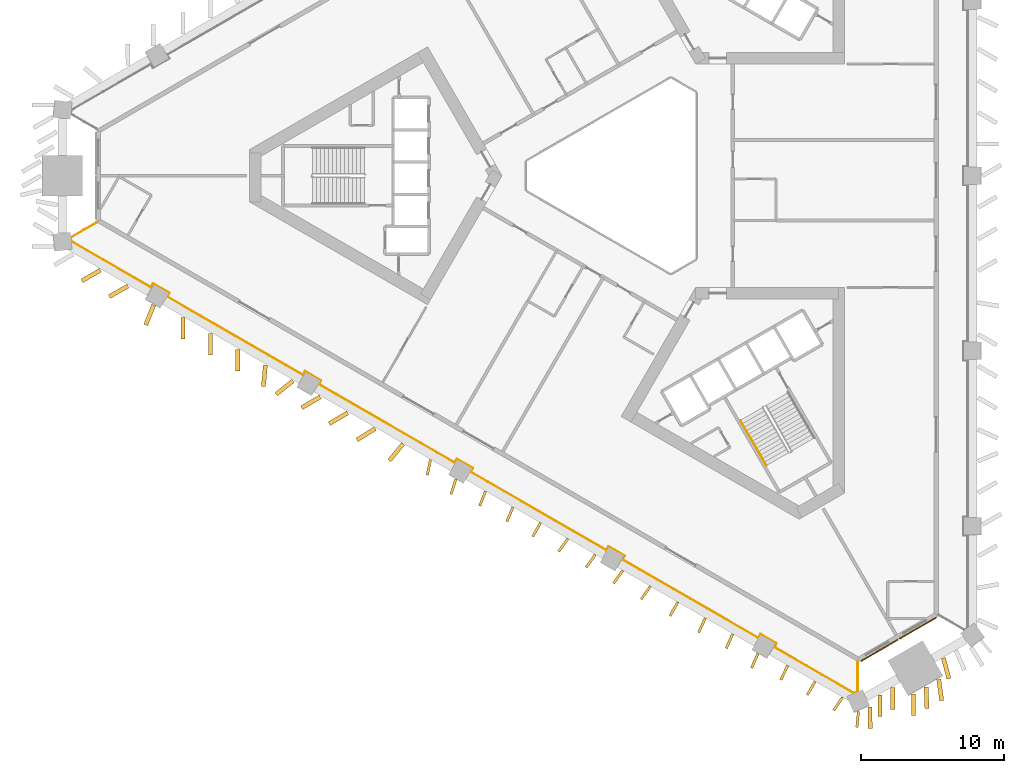
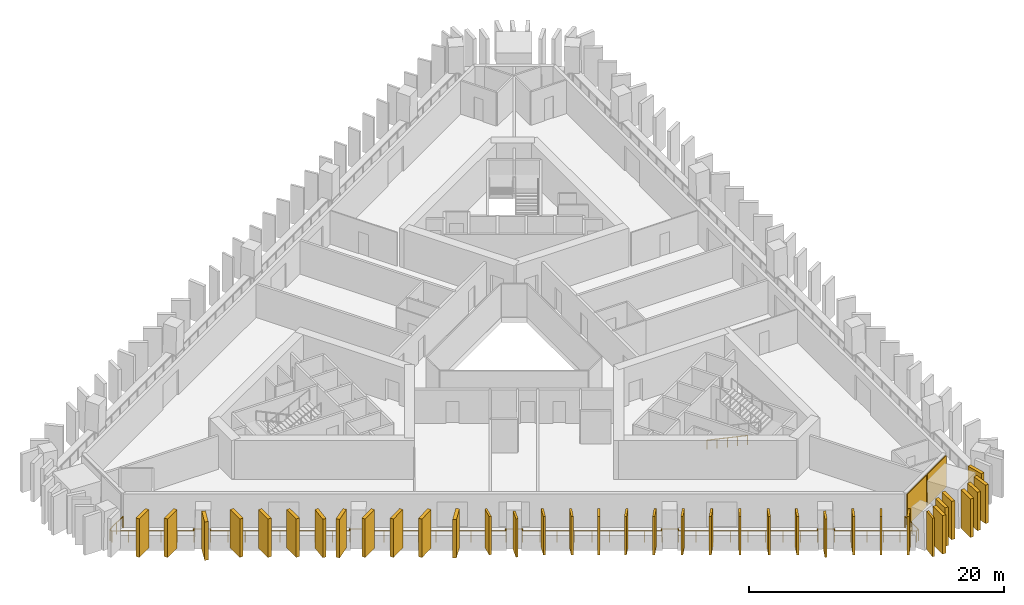
# One storey, part 7 of 10: 36 shading devices, 2 coverings, 2 railings.
"""IFC4 building model written with IfcOpenShell, lengths in metres."""

from ifc_helpers import new_model, si_unit, direction, frame, frame_2d, origin, origin_2d, place, context, subcontext, project, spatial, rectangle, circle, extrude, material, layer, layer_set, type_object, element, save


model = new_model("IFC4")

# Units and contexts
model_context = context("Model", 3, precision=1e-05, world=origin(), true_north=direction((0.0, 1.0)))
body_context = subcontext(model_context, "Body", "Model", "MODEL_VIEW")
ifc_project = project(units=[si_unit("LENGTHUNIT", "METRE"), si_unit("AREAUNIT", "SQUARE_METRE"), si_unit("VOLUMEUNIT", "CUBIC_METRE"), si_unit("PLANEANGLEUNIT", "RADIAN"), si_unit("MASSUNIT", "GRAM", prefix="KILO")], contexts=[model_context])

# Site, building, storey
site_placement = place(None, origin())
site = spatial("IfcSite", under=ifc_project, at=site_placement, CompositionType="ELEMENT")
building_placement = place(site_placement, origin())
building = spatial("IfcBuilding", under=site, at=building_placement, Name="Jabali Bay Hotel Tower and Convention Centre", CompositionType="ELEMENT")
storey_placement = place(building_placement, frame((0.0, 0.0, 41.10009765625)))
storey = spatial("IfcBuildingStorey", under=building, at=storey_placement, Name="L08", CompositionType="ELEMENT", Elevation=41.10009765625)

# Railing
ifc_material_1 = material(Name="Glass", Category="glass")
railing_type_1 = type_object("IfcRailingType", Name="Loggia glass guard 1100", PredefinedType="BALUSTRADE", material=ifc_material_1)
railing_1_placement = place(storey_placement, frame((90.803955078125, 46.077392578125, 0.0)))
element("IfcRailing", 1, at=railing_1_placement, inside=storey, type_object=railing_type_1, Name="Loggia glass guard L08", PredefinedType="BALUSTRADE", context=body_context, shape_type="SweptSolid", body=[
    extrude(circle(Radius=0.02490234375, at=origin_2d()), frame((0.0, 0.0, 1.0751953125), z_axis=(0.0, -1.0, 0.0), x_axis=(0.991444861374, 0.0, 0.13052619222)), (0.0, 0.0, 1.0), 2.055908203125),
    extrude(circle(Radius=0.02490234375, at=origin_2d()), frame((0.0, -2.055908203125, 1.0751953125), z_axis=(-0.917848253155, -0.396931460305, 0.0), x_axis=(0.393535656637, -0.909995934112, 0.13052619222)), (0.0, 0.0, 1.0), 0.273681640625),
    extrude(circle(Radius=0.02490234375, at=origin_2d()), frame((-0.251220703125, -2.16455078125, 1.0751953125), z_axis=(-0.866013309323, 0.500020947636, 0.0), x_axis=(-0.495743199113, -0.85860444541, 0.13052619222)), (0.0, 0.0, 1.0), 6.419189453125),
    extrude(circle(Radius=0.02490234375, at=origin_2d()), frame((-5.810302734375, 1.045166015625, 1.0751953125), z_axis=(0.499816412211, 0.866131372301, 0.0), x_axis=(-0.858721498343, 0.495540413517, 0.13052619222)), (0.0, 0.0, 1.0), 0.2998046875),
    extrude(circle(Radius=0.02490234375, at=origin_2d()), frame((-5.660400390625, 1.304931640625, 1.0751953125), z_axis=(-0.86595725628, 0.500118016368, 0.0), x_axis=(-0.495839437409, -0.858548871908, 0.13052619222)), (0.0, 0.0, 1.0), 1.300048828125),
    extrude(circle(Radius=0.02490234375, at=origin_2d()), frame((-6.7861328125, 1.955078125, 1.0751953125), z_axis=(-0.500426713919, -0.865778900179, 0.0), x_axis=(0.858372041669, -0.49614549401, 0.13052619222)), (0.0, 0.0, 1.0), 0.300048828125),
    extrude(circle(Radius=0.02490234375, at=origin_2d()), frame((-6.936279296875, 1.6953125, 1.0751953125), z_axis=(-0.866032219316, 0.499988194968, 0.0), x_axis=(-0.495710726648, -0.858623193625, 0.13052619222)), (0.0, 0.0, 1.0), 10.921630859375),
    extrude(circle(Radius=0.02490234375, at=origin_2d()), frame((-16.394775390625, 7.156005859375, 1.0751953125), z_axis=(0.500426713919, 0.865778900179, 0.0), x_axis=(-0.858372041669, 0.49614549401, 0.13052619222)), (0.0, 0.0, 1.0), 0.300048828125),
    extrude(circle(Radius=0.02490234375, at=origin_2d()), frame((-16.24462890625, 7.415771484375, 1.0751953125), z_axis=(-0.866004217611, 0.500036693733, 0.0), x_axis=(-0.4957588105, -0.858595431479, 0.13052619222)), (0.0, 0.0, 1.0), 1.30029296875),
    extrude(circle(Radius=0.02490234375, at=origin_2d()), frame((-17.37060546875, 8.06591796875, 1.0751953125), z_axis=(-0.499816412211, -0.866131372301, 0.0), x_axis=(0.858721498343, -0.495540413517, 0.13052619222)), (0.0, 0.0, 1.0), 0.2998046875),
    extrude(circle(Radius=0.02490234375, at=origin_2d()), frame((-17.5205078125, 7.80615234375, 1.0751953125), z_axis=(-0.866032219316, 0.499988194968, 0.0), x_axis=(-0.495710726648, -0.858623193625, 0.13052619222)), (0.0, 0.0, 1.0), 10.921630859375),
    extrude(circle(Radius=0.02490234375, at=origin_2d()), frame((-26.97900390625, 13.266845703125, 1.0751953125), z_axis=(0.499816412211, 0.866131372301, 0.0), x_axis=(-0.858721498343, 0.495540413517, 0.13052619222)), (0.0, 0.0, 1.0), 0.2998046875),
    extrude(circle(Radius=0.02490234375, at=origin_2d()), frame((-26.8291015625, 13.526611328125, 1.0751953125), z_axis=(-0.86595725628, 0.500118016368, 0.0), x_axis=(-0.495839437409, -0.858548871908, 0.13052619222)), (0.0, 0.0, 1.0), 1.300048828125),
    extrude(circle(Radius=0.02490234375, at=origin_2d()), frame((-27.954833984375, 14.1767578125, 1.0751953125), z_axis=(-0.499816412211, -0.866131372301, 0.0), x_axis=(0.858721498343, -0.495540413517, 0.13052619222)), (0.0, 0.0, 1.0), 0.2998046875),
    extrude(circle(Radius=0.02490234375, at=origin_2d()), frame((-28.104736328125, 13.9169921875, 1.0751953125), z_axis=(-0.866032219316, 0.499988194968, 0.0), x_axis=(-0.495710726648, -0.858623193625, 0.13052619222)), (0.0, 0.0, 1.0), 10.921630859375),
    extrude(circle(Radius=0.02490234375, at=origin_2d()), frame((-37.563232421875, 19.377685546875, 1.0751953125), z_axis=(0.499816412211, 0.866131372301, 0.0), x_axis=(-0.858721498343, 0.495540413517, 0.13052619222)), (0.0, 0.0, 1.0), 0.2998046875),
    extrude(circle(Radius=0.02490234375, at=origin_2d()), frame((-37.413330078125, 19.637451171875, 1.0751953125), z_axis=(-0.86595725628, 0.500118016368, 0.0), x_axis=(-0.495839437409, -0.858548871908, 0.13052619222)), (0.0, 0.0, 1.0), 1.300048828125),
    extrude(circle(Radius=0.02490234375, at=origin_2d()), frame((-38.5390625, 20.28759765625, 1.0751953125), z_axis=(-0.500426713919, -0.865778900179, 0.0), x_axis=(0.858372041669, -0.49614549401, 0.13052619222)), (0.0, 0.0, 1.0), 0.300048828125),
    extrude(circle(Radius=0.02490234375, at=origin_2d()), frame((-38.689208984375, 20.02783203125, 1.0751953125), z_axis=(-0.866026630959, 0.499997874465, 0.0), x_axis=(-0.495720323336, -0.858617653077, 0.13052619222)), (0.0, 0.0, 1.0), 10.92138671875),
    extrude(circle(Radius=0.02490234375, at=origin_2d()), frame((-48.1474609375, 25.488525390625, 1.0751953125), z_axis=(0.499816412211, 0.866131372301, 0.0), x_axis=(-0.858721498343, 0.495540413517, 0.13052619222)), (0.0, 0.0, 1.0), 0.2998046875),
    extrude(circle(Radius=0.02490234375, at=origin_2d()), frame((-47.99755859375, 25.748291015625, 1.0751953125), z_axis=(-0.86595725628, 0.500118016368, 0.0), x_axis=(-0.495839437409, -0.858548871908, 0.13052619222)), (0.0, 0.0, 1.0), 1.300048828125),
    extrude(circle(Radius=0.02490234375, at=origin_2d()), frame((-49.123291015625, 26.3984375, 1.0751953125), z_axis=(-0.500426713919, -0.865778900179, 0.0), x_axis=(0.858372041669, -0.49614549401, 0.13052619222)), (0.0, 0.0, 1.0), 0.300048828125),
    extrude(circle(Radius=0.02490234375, at=origin_2d()), frame((-49.2734375, 26.138671875, 1.0751953125), z_axis=(-0.866039286129, 0.499975954304, 0.0), x_axis=(-0.495698590705, -0.85863019998, 0.13052619222)), (0.0, 0.0, 1.0), 6.419189453125),
    extrude(circle(Radius=0.02490234375, at=origin_2d()), frame((-54.832763671875, 29.34814453125, 1.0751953125), z_axis=(-0.115132230487, 0.993350174663, 0.0), x_axis=(-0.984851926214, -0.114147258294, 0.13052619222)), (0.0, 0.0, 1.0), 0.2734375),
    extrude(circle(Radius=0.02490234375, at=origin_2d()), frame((-54.8642578125, 29.619873046875, 1.0751953125), z_axis=(0.866005633567, 0.500034241458, 0.0), x_axis=(-0.495756379204, 0.858596835321, 0.13052619222)), (0.0, 0.0, 1.0), 2.055908203125),
    extrude(circle(Radius=0.02001953125, at=origin_2d()), origin(), (0.0, 0.0, 1.0), 1.050048828125),
    extrude(circle(Radius=0.02001953125, at=origin_2d()), frame((0.0, -1.02783203125, 0.0)), (0.0, 0.0, 1.0), 1.050048828125),
    extrude(circle(Radius=0.02001953125, at=origin_2d()), frame((0.0, -2.055908203125, 0.0)), (0.0, 0.0, 1.0), 1.050048828125),
    extrude(circle(Radius=0.02001953125, at=origin_2d()), frame((-0.251220703125, -2.16455078125, 0.0)), (0.0, 0.0, 1.0), 1.050048828125),
    extrude(circle(Radius=0.02001953125, at=origin_2d()), frame((-1.363037109375, -1.522705078125, 0.0)), (0.0, 0.0, 1.0), 1.050048828125),
    extrude(circle(Radius=0.02001953125, at=origin_2d()), frame((-2.474853515625, -0.880615234375, 0.0)), (0.0, 0.0, 1.0), 1.050048828125),
    extrude(circle(Radius=0.02001953125, at=origin_2d()), frame((-3.586669921875, -0.23876953125, 0.0)), (0.0, 0.0, 1.0), 1.050048828125),
    extrude(circle(Radius=0.02001953125, at=origin_2d()), frame((-4.698486328125, 0.4033203125, 0.0)), (0.0, 0.0, 1.0), 1.050048828125),
    extrude(circle(Radius=0.02001953125, at=origin_2d()), frame((-5.810302734375, 1.045166015625, 0.0)), (0.0, 0.0, 1.0), 1.050048828125),
    extrude(circle(Radius=0.02001953125, at=origin_2d()), frame((-5.660400390625, 1.304931640625, 0.0)), (0.0, 0.0, 1.0), 1.050048828125),
    extrude(circle(Radius=0.02001953125, at=origin_2d()), frame((-6.7861328125, 1.955078125, 0.0)), (0.0, 0.0, 1.0), 1.050048828125),
    extrude(circle(Radius=0.02001953125, at=origin_2d()), frame((-6.936279296875, 1.6953125, 0.0)), (0.0, 0.0, 1.0), 1.050048828125),
    extrude(circle(Radius=0.02001953125, at=origin_2d()), frame((-8.11865234375, 2.3779296875, 0.0)), (0.0, 0.0, 1.0), 1.050048828125),
    extrude(circle(Radius=0.02001953125, at=origin_2d()), frame((-9.30078125, 3.060546875, 0.0)), (0.0, 0.0, 1.0), 1.050048828125),
    extrude(circle(Radius=0.02001953125, at=origin_2d()), frame((-10.483154296875, 3.7431640625, 0.0)), (0.0, 0.0, 1.0), 1.050048828125),
    extrude(circle(Radius=0.02001953125, at=origin_2d()), frame((-11.66552734375, 4.42578125, 0.0)), (0.0, 0.0, 1.0), 1.050048828125),
    extrude(circle(Radius=0.02001953125, at=origin_2d()), frame((-12.847900390625, 5.108154296875, 0.0)), (0.0, 0.0, 1.0), 1.050048828125),
    extrude(circle(Radius=0.02001953125, at=origin_2d()), frame((-14.0302734375, 5.790771484375, 0.0)), (0.0, 0.0, 1.0), 1.050048828125),
    extrude(circle(Radius=0.02001953125, at=origin_2d()), frame((-15.21240234375, 6.473388671875, 0.0)), (0.0, 0.0, 1.0), 1.050048828125),
    extrude(circle(Radius=0.02001953125, at=origin_2d()), frame((-16.394775390625, 7.156005859375, 0.0)), (0.0, 0.0, 1.0), 1.050048828125),
    extrude(circle(Radius=0.02001953125, at=origin_2d()), frame((-16.24462890625, 7.415771484375, 0.0)), (0.0, 0.0, 1.0), 1.050048828125),
    extrude(circle(Radius=0.02001953125, at=origin_2d()), frame((-17.37060546875, 8.06591796875, 0.0)), (0.0, 0.0, 1.0), 1.050048828125),
    extrude(circle(Radius=0.02001953125, at=origin_2d()), frame((-17.5205078125, 7.80615234375, 0.0)), (0.0, 0.0, 1.0), 1.050048828125),
    extrude(circle(Radius=0.02001953125, at=origin_2d()), frame((-18.702880859375, 8.48876953125, 0.0)), (0.0, 0.0, 1.0), 1.050048828125),
    extrude(circle(Radius=0.02001953125, at=origin_2d()), frame((-19.88525390625, 9.17138671875, 0.0)), (0.0, 0.0, 1.0), 1.050048828125),
    extrude(circle(Radius=0.02001953125, at=origin_2d()), frame((-21.0673828125, 9.85400390625, 0.0)), (0.0, 0.0, 1.0), 1.050048828125),
    extrude(circle(Radius=0.02001953125, at=origin_2d()), frame((-22.249755859375, 10.53662109375, 0.0)), (0.0, 0.0, 1.0), 1.050048828125),
    extrude(circle(Radius=0.02001953125, at=origin_2d()), frame((-23.43212890625, 11.218994140625, 0.0)), (0.0, 0.0, 1.0), 1.050048828125),
    extrude(circle(Radius=0.02001953125, at=origin_2d()), frame((-24.6142578125, 11.901611328125, 0.0)), (0.0, 0.0, 1.0), 1.050048828125),
    extrude(circle(Radius=0.02001953125, at=origin_2d()), frame((-25.796630859375, 12.584228515625, 0.0)), (0.0, 0.0, 1.0), 1.050048828125),
    extrude(circle(Radius=0.02001953125, at=origin_2d()), frame((-26.97900390625, 13.266845703125, 0.0)), (0.0, 0.0, 1.0), 1.050048828125),
    extrude(circle(Radius=0.02001953125, at=origin_2d()), frame((-26.8291015625, 13.526611328125, 0.0)), (0.0, 0.0, 1.0), 1.050048828125),
    extrude(circle(Radius=0.02001953125, at=origin_2d()), frame((-27.954833984375, 14.1767578125, 0.0)), (0.0, 0.0, 1.0), 1.050048828125),
    extrude(circle(Radius=0.02001953125, at=origin_2d()), frame((-28.104736328125, 13.9169921875, 0.0)), (0.0, 0.0, 1.0), 1.050048828125),
    extrude(circle(Radius=0.02001953125, at=origin_2d()), frame((-29.287109375, 14.599609375, 0.0)), (0.0, 0.0, 1.0), 1.050048828125),
    extrude(circle(Radius=0.02001953125, at=origin_2d()), frame((-30.46923828125, 15.2822265625, 0.0)), (0.0, 0.0, 1.0), 1.050048828125),
    extrude(circle(Radius=0.02001953125, at=origin_2d()), frame((-31.651611328125, 15.96484375, 0.0)), (0.0, 0.0, 1.0), 1.050048828125),
    extrude(circle(Radius=0.02001953125, at=origin_2d()), frame((-32.833984375, 16.6474609375, 0.0)), (0.0, 0.0, 1.0), 1.050048828125),
    extrude(circle(Radius=0.02001953125, at=origin_2d()), frame((-34.016357421875, 17.329833984375, 0.0)), (0.0, 0.0, 1.0), 1.050048828125),
    extrude(circle(Radius=0.02001953125, at=origin_2d()), frame((-35.19873046875, 18.012451171875, 0.0)), (0.0, 0.0, 1.0), 1.050048828125),
    extrude(circle(Radius=0.02001953125, at=origin_2d()), frame((-36.380859375, 18.695068359375, 0.0)), (0.0, 0.0, 1.0), 1.050048828125),
    extrude(circle(Radius=0.02001953125, at=origin_2d()), frame((-37.563232421875, 19.377685546875, 0.0)), (0.0, 0.0, 1.0), 1.050048828125),
    extrude(circle(Radius=0.02001953125, at=origin_2d()), frame((-37.413330078125, 19.637451171875, 0.0)), (0.0, 0.0, 1.0), 1.050048828125),
    extrude(circle(Radius=0.02001953125, at=origin_2d()), frame((-38.5390625, 20.28759765625, 0.0)), (0.0, 0.0, 1.0), 1.050048828125),
    extrude(circle(Radius=0.02001953125, at=origin_2d()), frame((-38.689208984375, 20.02783203125, 0.0)), (0.0, 0.0, 1.0), 1.050048828125),
    extrude(circle(Radius=0.02001953125, at=origin_2d()), frame((-39.87158203125, 20.71044921875, 0.0)), (0.0, 0.0, 1.0), 1.050048828125),
    extrude(circle(Radius=0.02001953125, at=origin_2d()), frame((-41.0537109375, 21.39306640625, 0.0)), (0.0, 0.0, 1.0), 1.050048828125),
    extrude(circle(Radius=0.02001953125, at=origin_2d()), frame((-42.236083984375, 22.07568359375, 0.0)), (0.0, 0.0, 1.0), 1.050048828125),
    extrude(circle(Radius=0.02001953125, at=origin_2d()), frame((-43.41845703125, 22.75830078125, 0.0)), (0.0, 0.0, 1.0), 1.050048828125),
    extrude(circle(Radius=0.02001953125, at=origin_2d()), frame((-44.6005859375, 23.440673828125, 0.0)), (0.0, 0.0, 1.0), 1.050048828125),
    extrude(circle(Radius=0.02001953125, at=origin_2d()), frame((-45.782958984375, 24.123291015625, 0.0)), (0.0, 0.0, 1.0), 1.050048828125),
    extrude(circle(Radius=0.02001953125, at=origin_2d()), frame((-46.965087890625, 24.805908203125, 0.0)), (0.0, 0.0, 1.0), 1.050048828125),
    extrude(circle(Radius=0.02001953125, at=origin_2d()), frame((-48.1474609375, 25.488525390625, 0.0)), (0.0, 0.0, 1.0), 1.050048828125),
    extrude(circle(Radius=0.02001953125, at=origin_2d()), frame((-47.99755859375, 25.748291015625, 0.0)), (0.0, 0.0, 1.0), 1.050048828125),
    extrude(circle(Radius=0.02001953125, at=origin_2d()), frame((-49.123291015625, 26.3984375, 0.0)), (0.0, 0.0, 1.0), 1.050048828125),
    extrude(circle(Radius=0.02001953125, at=origin_2d()), frame((-49.2734375, 26.138671875, 0.0)), (0.0, 0.0, 1.0), 1.050048828125),
    extrude(circle(Radius=0.02001953125, at=origin_2d()), frame((-50.38525390625, 26.780517578125, 0.0)), (0.0, 0.0, 1.0), 1.050048828125),
    extrude(circle(Radius=0.02001953125, at=origin_2d()), frame((-51.4970703125, 27.42236328125, 0.0)), (0.0, 0.0, 1.0), 1.050048828125),
    extrude(circle(Radius=0.02001953125, at=origin_2d()), frame((-52.609130859375, 28.064453125, 0.0)), (0.0, 0.0, 1.0), 1.050048828125),
    extrude(circle(Radius=0.02001953125, at=origin_2d()), frame((-53.720947265625, 28.706298828125, 0.0)), (0.0, 0.0, 1.0), 1.050048828125),
    extrude(circle(Radius=0.02001953125, at=origin_2d()), frame((-54.832763671875, 29.34814453125, 0.0)), (0.0, 0.0, 1.0), 1.050048828125),
    extrude(circle(Radius=0.02001953125, at=origin_2d()), frame((-54.8642578125, 29.619873046875, 0.0)), (0.0, 0.0, 1.0), 1.050048828125),
    extrude(circle(Radius=0.02001953125, at=origin_2d()), frame((-53.97412109375, 30.1337890625, 0.0)), (0.0, 0.0, 1.0), 1.050048828125),
    extrude(circle(Radius=0.02001953125, at=origin_2d()), frame((-53.083740234375, 30.64794921875, 0.0)), (0.0, 0.0, 1.0), 1.050048828125),
])

# Shading devices
ifc_material_2 = material(Name="Precast concrete C60", Category="concrete")
ifc_layer_1 = layer(ifc_material_2, 0.179931640625)
ifc_layer_set_1 = layer_set([ifc_layer_1], Name="Precast concrete C60")
shading_device_type_1 = type_object("IfcShadingDeviceType", Name="Precast fin 3680 x 1100", PredefinedType="USERDEFINED", material=ifc_layer_set_1)
for number, where, z_axis, x_axis, name in (
    (2, (61.011962890625, 60.1943359375, 0.010009765625), (0.0, 0.0, 1.0), (-0.206178254338, -0.978514449274, 0.0), "Fin L08 089"),
    (3, (62.777587890625, 58.830078125, 0.010009765625), (0.0, 0.0, 1.0), (-0.303817327236, -0.952730303743, 0.0), "Fin L08 090"),
):
    element("IfcShadingDevice", number, at=place(storey_placement, frame(where, z_axis=z_axis, x_axis=x_axis)), inside=storey, type_object=shading_device_type_1, Name=name, ObjectType="FIN", PredefinedType="USERDEFINED", context=body_context, shape_type="SweptSolid", body=[
        extrude(rectangle(XDim=1.10009765625, YDim=0.179931640625, at=frame_2d((0.550048828125, 0.0))), origin(), (0.0, 0.0, 1.0), 3.679931640625),
    ])
shading_device_1_placement = place(storey_placement, frame((64.84912109375, 57.99560546875, 0.010009765625), z_axis=(0.0, 0.0, 1.0), x_axis=(-0.365336465294, -0.930875537935, 0.0)))
element("IfcShadingDevice", 4, at=shading_device_1_placement, inside=storey, type_object=shading_device_type_1, Name="Fin L08 091", ObjectType="FIN", PredefinedType="USERDEFINED", context=body_context, shape_type="SweptSolid", body=[
    extrude(rectangle(XDim=1.099853515625, YDim=0.179931640625, at=frame_2d((0.5498046875, 0.0))), origin(), (0.0, 0.0, 1.0), 3.679931640625),
])
for number, where, z_axis, x_axis, name in (
    (5, (66.76513671875, 56.89208984375, 0.010009765625), (0.0, 0.0, 1.0), (-0.390407346083, -0.920642223736, 0.0), "Fin L08 092"),
    (6, (68.685302734375, 55.795654296875, 0.010009765625), (0.0, 0.0, 1.0), (-0.494249609088, -0.869320035382, 0.0), "Fin L08 093"),
    (7, (70.595703125, 54.68212890625, 0.010009765625), (0.0, 0.0, 1.0), (-0.590584029438, -0.806976148454, 0.0), "Fin L08 094"),
):
    element("IfcShadingDevice", number, at=place(storey_placement, frame(where, z_axis=z_axis, x_axis=x_axis)), inside=storey, type_object=shading_device_type_1, Name=name, ObjectType="FIN", PredefinedType="USERDEFINED", context=body_context, shape_type="SweptSolid", body=[
        extrude(rectangle(XDim=1.10009765625, YDim=0.179931640625, at=frame_2d((0.550048828125, 0.0))), origin(), (0.0, 0.0, 1.0), 3.679931640625),
    ])
shading_device_2_placement = place(storey_placement, frame((72.5107421875, 53.57666015625, 0.010009765625), z_axis=(0.0, 0.0, 1.0), x_axis=(-0.589292908967, -0.807919468414, 0.0)))
element("IfcShadingDevice", 8, at=shading_device_2_placement, inside=storey, type_object=shading_device_type_1, Name="Fin L08 095", ObjectType="FIN", PredefinedType="USERDEFINED", context=body_context, shape_type="SweptSolid", body=[
    extrude(rectangle(XDim=1.099853515625, YDim=0.179931640625, at=frame_2d((0.5498046875, 0.0))), origin(), (0.0, 0.0, 1.0), 3.679931640625),
])
shading_device_3_placement = place(storey_placement, frame((74.42578125, 52.47119140625, 0.010009765625), z_axis=(0.0, 0.0, 1.0), x_axis=(-0.588541108925, -0.808467292539, 0.0)))
element("IfcShadingDevice", 9, at=shading_device_3_placement, inside=storey, type_object=shading_device_type_1, Name="Fin L08 096", ObjectType="FIN", PredefinedType="USERDEFINED", context=body_context, shape_type="SweptSolid", body=[
    extrude(rectangle(XDim=1.10009765625, YDim=0.179931640625, at=frame_2d((0.550048828125, 0.0))), origin(), (0.0, 0.0, 1.0), 3.679931640625),
])
for number, where, z_axis, x_axis, name in (
    (10, (76.34130859375, 51.366455078125, 0.010009765625), (0.0, 0.0, 1.0), (-0.577536885795, -0.816364591066, 0.0), "Fin L08 097"),
    (11, (78.26025390625, 50.267578125, 0.010009765625), (0.0, 0.0, 1.0), (-0.494081861243, -0.869415386562, 0.0), "Fin L08 098"),
):
    element("IfcShadingDevice", number, at=place(storey_placement, frame(where, z_axis=z_axis, x_axis=x_axis)), inside=storey, type_object=shading_device_type_1, Name=name, ObjectType="FIN", PredefinedType="USERDEFINED", context=body_context, shape_type="SweptSolid", body=[
        extrude(rectangle(XDim=1.099853515625, YDim=0.179931640625, at=frame_2d((0.5498046875, 0.0))), origin(), (0.0, 0.0, 1.0), 3.679931640625),
    ])
for number, where, z_axis, x_axis, name in (
    (12, (80.171142578125, 49.1552734375, 0.010009765625), (0.0, 0.0, 1.0), (-0.415875136524, -0.909421723306, 0.0), "Fin L08 099"),
    (13, (82.085693359375, 48.048828125, 0.010009765625), (0.0, 0.0, 1.0), (-0.406097286264, -0.913829849638, 0.0), "Fin L08 100"),
    (14, (83.846923828125, 46.6767578125, 0.010009765625), (0.0, 0.0, 1.0), (-0.405911946598, -0.913912190317, 0.0), "Fin L08 101"),
    (15, (85.9169921875, 45.83984375, 0.010009765625), (0.0, 0.0, 1.0), (-0.43250741036, -0.901630378805, 0.0), "Fin L08 102"),
):
    element("IfcShadingDevice", number, at=place(storey_placement, frame(where, z_axis=z_axis, x_axis=x_axis)), inside=storey, type_object=shading_device_type_1, Name=name, ObjectType="FIN", PredefinedType="USERDEFINED", context=body_context, shape_type="SweptSolid", body=[
        extrude(rectangle(XDim=1.10009765625, YDim=0.179931640625, at=frame_2d((0.550048828125, 0.0))), origin(), (0.0, 0.0, 1.0), 3.679931640625),
    ])
shading_device_4_placement = place(storey_placement, frame((87.835205078125, 44.739990234375, 0.010009765625), z_axis=(0.0, 0.0, 1.0), x_axis=(-0.500125958508, -0.865952669392, 0.0)))
element("IfcShadingDevice", 16, at=shading_device_4_placement, inside=storey, type_object=shading_device_type_1, Name="Fin L08 103", ObjectType="FIN", PredefinedType="USERDEFINED", context=body_context, shape_type="SweptSolid", body=[
    extrude(rectangle(XDim=1.099853515625, YDim=0.179931640625, at=frame_2d((0.5498046875, 0.0))), origin(), (0.0, 0.0, 1.0), 3.679931640625),
])
shading_device_5_placement = place(storey_placement, frame((89.7470703125, 43.62890625, 0.010009765625), z_axis=(0.0, 0.0, 1.0), x_axis=(-0.561696775815, -0.827343176704, 0.0)))
element("IfcShadingDevice", 17, at=shading_device_5_placement, inside=storey, type_object=shading_device_type_1, Name="Fin L08 104", ObjectType="FIN", PredefinedType="USERDEFINED", context=body_context, shape_type="SweptSolid", body=[
    extrude(rectangle(XDim=1.10009765625, YDim=0.179931640625, at=frame_2d((0.550048828125, 0.0))), origin(), (0.0, 0.0, 1.0), 3.679931640625),
])
shading_device_6_placement = place(storey_placement, frame((90.85400390625, 42.6337890625, 0.010009765625), z_axis=(0.0, 0.0, 1.0), x_axis=(-0.101437473422, -0.994841916581, 0.0)))
element("IfcShadingDevice", 18, at=shading_device_6_placement, inside=storey, type_object=shading_device_type_1, Name="Fin L08 119", ObjectType="FIN", PredefinedType="USERDEFINED", context=body_context, shape_type="SweptSolid", body=[
    extrude(rectangle(XDim=1.099853515625, YDim=0.179931640625, at=frame_2d((0.5498046875, 0.0))), origin(), (0.0, 0.0, 1.0), 3.679931640625),
])
ifc_layer_2 = layer(ifc_material_2, 0.300048828125)
ifc_layer_set_2 = layer_set([ifc_layer_2], Name="Precast concrete C60")
shading_device_type_2 = type_object("IfcShadingDeviceType", Name="Precast fin 3680 x 1500", PredefinedType="USERDEFINED", material=ifc_layer_set_2)
for number, where, z_axis, x_axis, name in (
    (19, (38.009033203125, 73.4208984375, 0.010009765625), (0.0, 0.0, 1.0), (-0.866031096941, -0.499990139034, 0.0), "Fin L08 077"),
    (20, (39.923828125, 72.315185546875, 0.010009765625), (0.0, 0.0, 1.0), (-0.866031096941, -0.499990139034, 0.0), "Fin L08 078"),
):
    element("IfcShadingDevice", number, at=place(storey_placement, frame(where, z_axis=z_axis, x_axis=x_axis)), inside=storey, type_object=shading_device_type_2, Name=name, ObjectType="FIN", PredefinedType="USERDEFINED", context=body_context, shape_type="SweptSolid", body=[
        extrude(rectangle(XDim=1.5, YDim=0.300048828125, at=frame_2d((0.75, 0.0))), origin(), (0.0, 0.0, 1.0), 3.679931640625),
    ])
shading_device_7_placement = place(storey_placement, frame((41.71142578125, 70.989013671875, 0.010009765625), z_axis=(0.0, 0.0, 1.0), x_axis=(-0.366895974427, -0.930261975977, 0.0)))
element("IfcShadingDevice", 21, at=shading_device_7_placement, inside=storey, type_object=shading_device_type_2, Name="Fin L08 079", ObjectType="FIN", PredefinedType="USERDEFINED", context=body_context, shape_type="SweptSolid", body=[
    extrude(rectangle(XDim=1.499755859375, YDim=0.300048828125, at=frame_2d((0.75, 0.0))), origin(), (0.0, 0.0, 1.0), 3.679931640625),
])
for number, where, z_axis, x_axis, name in (
    (22, (43.75390625, 70.10400390625, 0.010009765625), (0.0, 0.0, 1.0), (-0.000162760415, -0.999999986755, 0.0), "Fin L08 080"),
    (23, (45.668701171875, 68.998291015625, 0.010009765625), (0.0, 0.0, 1.0), (0.0, -1.0, 0.0), "Fin L08 081"),
    (24, (47.583740234375, 67.892822265625, 0.010009765625), (0.0, 0.0, 1.0), (-0.000162760415, -0.999999986755, 0.0), "Fin L08 082"),
    (25, (49.5048828125, 66.798095703125, 0.010009765625), (0.0, 0.0, 1.0), (-0.094071736732, -0.995565421431, 0.0), "Fin L08 083"),
):
    element("IfcShadingDevice", number, at=place(storey_placement, frame(where, z_axis=z_axis, x_axis=x_axis)), inside=storey, type_object=shading_device_type_2, Name=name, ObjectType="FIN", PredefinedType="USERDEFINED", context=body_context, shape_type="SweptSolid", body=[
        extrude(rectangle(XDim=1.5, YDim=0.300048828125, at=frame_2d((0.75, 0.0))), origin(), (0.0, 0.0, 1.0), 3.679931640625),
    ])
shading_device_8_placement = place(storey_placement, frame((51.424072265625, 65.69970703125, 0.010009765625), z_axis=(0.0, 0.0, 1.0), x_axis=(-0.778864318253, -0.62719245352, 0.0)))
element("IfcShadingDevice", 26, at=shading_device_8_placement, inside=storey, type_object=shading_device_type_2, Name="Fin L08 084", ObjectType="FIN", PredefinedType="USERDEFINED", context=body_context, shape_type="SweptSolid", body=[
    extrude(rectangle(XDim=1.500244140625, YDim=0.300048828125, at=frame_2d((0.75, 0.0))), origin(), (0.0, 0.0, 1.0), 3.679931640625),
])
for number, where, z_axis, x_axis, name in (
    (27, (53.32861328125, 64.576171875, 0.010009765625), (0.0, 0.0, 1.0), (-0.864786666582, -0.502139444081, 0.0), "Fin L08 085"),
    (28, (55.244140625, 63.471435546875, 0.010009765625), (0.0, 0.0, 1.0), (-0.861586761951, -0.50761033444, 0.0), "Fin L08 086"),
):
    element("IfcShadingDevice", number, at=place(storey_placement, frame(where, z_axis=z_axis, x_axis=x_axis)), inside=storey, type_object=shading_device_type_2, Name=name, ObjectType="FIN", PredefinedType="USERDEFINED", context=body_context, shape_type="SweptSolid", body=[
        extrude(rectangle(XDim=1.5, YDim=0.300048828125, at=frame_2d((0.75, 0.0))), origin(), (0.0, 0.0, 1.0), 3.679931640625),
    ])
shading_device_9_placement = place(storey_placement, frame((57.160400390625, 62.3681640625, 0.010009765625), z_axis=(0.0, 0.0, 1.0), x_axis=(-0.850992682428, -0.525177545649, 0.0)))
element("IfcShadingDevice", 29, at=shading_device_9_placement, inside=storey, type_object=shading_device_type_2, Name="Fin L08 087", ObjectType="FIN", PredefinedType="USERDEFINED", context=body_context, shape_type="SweptSolid", body=[
    extrude(rectangle(XDim=1.500244140625, YDim=0.300048828125, at=frame_2d((0.75, 0.0))), origin(), (0.0, 0.0, 1.0), 3.679931640625),
])
shading_device_10_placement = place(storey_placement, frame((59.098876953125, 61.302978515625, 0.010009765625), z_axis=(0.0, 0.0, 1.0), x_axis=(-0.633742820398, -0.773543817501, 0.0)))
element("IfcShadingDevice", 30, at=shading_device_10_placement, inside=storey, type_object=shading_device_type_2, Name="Fin L08 088", ObjectType="FIN", PredefinedType="USERDEFINED", context=body_context, shape_type="SweptSolid", body=[
    extrude(rectangle(XDim=1.5, YDim=0.300048828125, at=frame_2d((0.75, 0.0))), origin(), (0.0, 0.0, 1.0), 3.679931640625),
])
shading_device_11_placement = place(storey_placement, frame((91.65771484375, 42.965576171875, 0.010009765625), z_axis=(0.0, 0.0, 1.0), x_axis=(0.00846461616, -0.999964174495, 0.0)))
element("IfcShadingDevice", 31, at=shading_device_11_placement, inside=storey, type_object=shading_device_type_2, Name="Fin L08 105", ObjectType="FIN", PredefinedType="USERDEFINED", context=body_context, shape_type="SweptSolid", body=[
    extrude(rectangle(XDim=1.499755859375, YDim=0.300048828125, at=frame_2d((0.75, 0.0))), origin(), (0.0, 0.0, 1.0), 3.679931640625),
])
for number, where, z_axis, x_axis, name in (
    (32, (92.363525390625, 43.788818359375, 0.010009765625), (0.0, 0.0, 1.0), (0.0, -1.0, 0.0), "Fin L08 106"),
    (33, (93.249267578125, 44.300048828125, 0.010009765625), (0.0, 0.0, 1.0), (0.0, -1.0, 0.0), "Fin L08 107"),
    (34, (94.691162109375, 43.84814453125, 0.010009765625), (0.0, 0.0, 1.0), (0.0, -1.0, 0.0), "Fin L08 108"),
    (35, (95.574462890625, 44.36376953125, 0.010009765625), (0.0, 0.0, 1.0), (0.036295287834, -0.999341108972, 0.0), "Fin L08 109"),
    (36, (96.45361328125, 44.886962890625, 0.010009765625), (0.0, 0.0, 1.0), (0.13656579225, -0.990631003142, 0.0), "Fin L08 110"),
):
    element("IfcShadingDevice", number, at=place(storey_placement, frame(where, z_axis=z_axis, x_axis=x_axis)), inside=storey, type_object=shading_device_type_2, Name=name, ObjectType="FIN", PredefinedType="USERDEFINED", context=body_context, shape_type="SweptSolid", body=[
        extrude(rectangle(XDim=1.5, YDim=0.300048828125, at=frame_2d((0.75, 0.0))), origin(), (0.0, 0.0, 1.0), 3.679931640625),
    ])
shading_device_12_placement = place(storey_placement, frame((96.774169921875, 46.37744140625, 0.010009765625), z_axis=(0.0, 0.0, 1.0), x_axis=(0.260720459822, -0.965414336868, 0.0)))
element("IfcShadingDevice", 37, at=shading_device_12_placement, inside=storey, type_object=shading_device_type_2, Name="Fin L08 111", ObjectType="FIN", PredefinedType="USERDEFINED", context=body_context, shape_type="SweptSolid", body=[
    extrude(rectangle(XDim=1.500244140625, YDim=0.300048828125, at=frame_2d((0.75, 0.0))), origin(), (0.0, 0.0, 1.0), 3.679931640625),
])

# Coverings
ifc_material_3 = material(Name="Precast concrete C40/50", Category="concrete")
ifc_layer_3 = layer(ifc_material_3, 0.080078125)
ifc_layer_set_3 = layer_set([ifc_layer_3], Name="Precast concrete C40/50")
covering_type = type_object("IfcCoveringType", Name="Relief panel 3000 x 3000", PredefinedType="CLADDING", material=ifc_layer_set_3)
for number, where, z_axis, x_axis, name in (
    (38, (94.99658203125, 48.451904296875, 0.099853515625), (0.0, 0.0, 1.0), (-0.866025378006, -0.50000004465, 0.0), "Relief panel L08"),
    (39, (92.3232421875, 46.908447265625, 0.099853515625), (0.0, 0.0, 1.0), (-0.866025378006, -0.50000004465, 0.0), "Relief panel L08"),
):
    element("IfcCovering", number, at=place(storey_placement, frame(where, z_axis=z_axis, x_axis=x_axis)), inside=storey, type_object=covering_type, Name=name, PredefinedType="CLADDING", context=body_context, shape_type="SweptSolid", body=[
        extrude(rectangle(XDim=3.0, YDim=0.080078125, at=origin_2d()), origin(), (0.0, 0.0, 1.0), 3.0),
    ])

# Railing
ifc_material_4 = material(Name="Steel Q355B", Category="steel")
railing_type_2 = type_object("IfcRailingType", Name="Stair handrail 900", PredefinedType="HANDRAIL", material=ifc_material_4)
railing_2_placement = place(storey_placement, frame((82.622802734375, 62.94677734375, 0.132080078125)))
element("IfcRailing", 40, at=railing_2_placement, inside=storey, type_object=railing_type_2, Name="L08 ST3 stair handrail 1", PredefinedType="HANDRAIL", context=body_context, shape_type="SweptSolid", body=[
    extrude(circle(Radius=0.02392578125, at=origin_2d()), frame((0.0, 0.0, 0.8759765625), z_axis=(0.452190331055, -0.783190014029, 0.426775475427), x_axis=(0.866018046521, 0.500012742938, 0.0)), (0.0, 0.0, 1.0), 4.02490234375),
    extrude(circle(Radius=0.02099609375, at=origin_2d()), origin(), (0.0, 0.0, 1.0), 0.851806640625),
    extrude(circle(Radius=0.02099609375, at=origin_2d()), frame((0.455078125, -0.7880859375, 0.429443359375)), (0.0, 0.0, 1.0), 0.851806640625),
    extrude(circle(Radius=0.02099609375, at=origin_2d()), frame((0.91015625, -1.576171875, 0.85888671875)), (0.0, 0.0, 1.0), 0.851806640625),
    extrude(circle(Radius=0.02099609375, at=origin_2d()), frame((1.364990234375, -2.3642578125, 1.288330078125)), (0.0, 0.0, 1.0), 0.851806640625),
    extrude(circle(Radius=0.02099609375, at=origin_2d()), frame((1.820068359375, -3.15234375, 1.7177734375)), (0.0, 0.0, 1.0), 0.851806640625),
])

save(model, "model.ifc")
